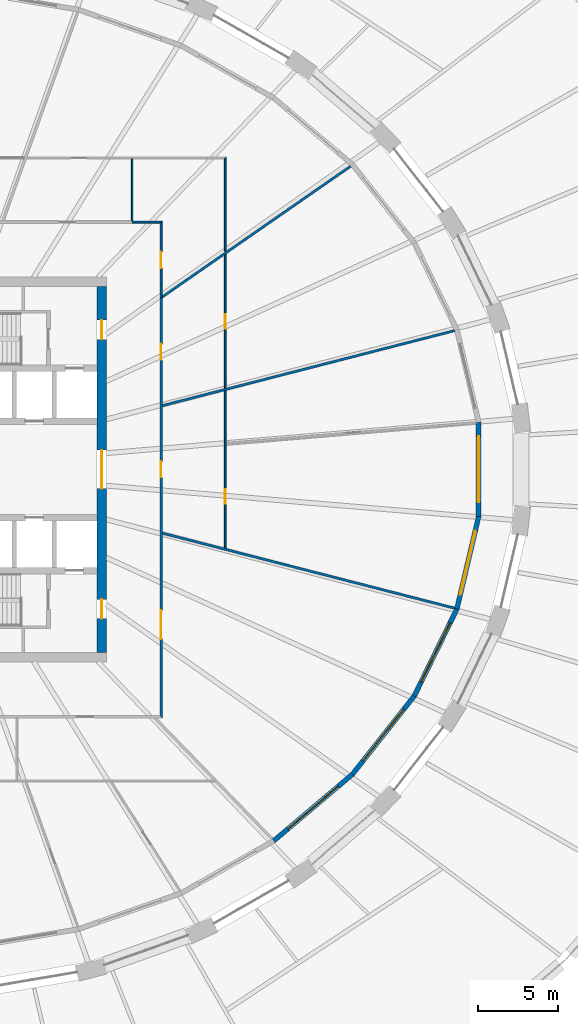
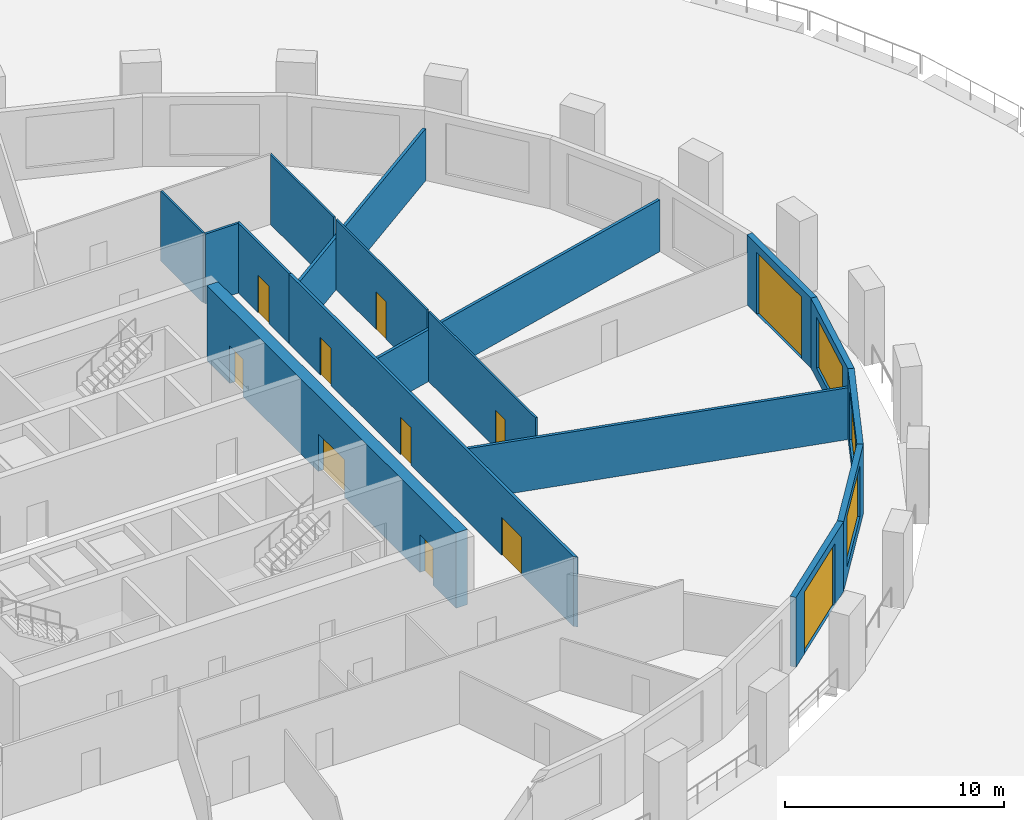
# One storey, part 9 of 16: 16 walls, 11 doors, 3 windows, 14 openings.
"""IFC4 building model written with IfcOpenShell, lengths in metres."""

from ifc_helpers import new_model, si_unit, direction, frame, frame_2d, origin, place, context, subcontext, project, spatial, polyline, rectangle, outline, extrude, material, layer, layer_set, type_object, element, fill, save


model = new_model("IFC4")

# Units and contexts
model_context = context("Model", 3, precision=1e-05, world=origin(), true_north=direction((0.0, 1.0)))
body_context = subcontext(model_context, "Body", "Model", "MODEL_VIEW")
ifc_project = project(units=[si_unit("LENGTHUNIT", "METRE"), si_unit("AREAUNIT", "SQUARE_METRE"), si_unit("VOLUMEUNIT", "CUBIC_METRE"), si_unit("PLANEANGLEUNIT", "RADIAN"), si_unit("MASSUNIT", "GRAM", prefix="KILO")], contexts=[model_context])

# Site, building, storey
site_placement = place(None, origin())
site = spatial("IfcSite", under=ifc_project, at=site_placement, CompositionType="ELEMENT")
building_placement = place(site_placement, origin())
building = spatial("IfcBuilding", under=site, at=building_placement, Name="Halqa Exchange Tower", CompositionType="ELEMENT")
storey_placement = place(building_placement, frame((0.0, 0.0, 23.5)))
storey = spatial("IfcBuildingStorey", under=building, at=storey_placement, Name="L04", CompositionType="ELEMENT", Elevation=23.5)

# Wall, openings, doors
ifc_material_1 = material(Name="Fire-rated gypsum board")
ifc_layer_1 = layer(ifc_material_1, 0.14990234375)
ifc_layer_set_1 = layer_set([ifc_layer_1], Name="Fire-rated gypsum board")
wall_type_1 = type_object("IfcWallType", Name="Fire partition EI 60 150", PredefinedType="PARTITIONING", material=ifc_layer_set_1)
wall_1_placement = place(storey_placement, frame((15.39990234375, -15.47509765625, 0.0), z_axis=(0.0, 0.0, 1.0), x_axis=(0.0, 1.0, 0.0)))
wall_1 = element("IfcWall", 1, at=wall_1_placement, inside=storey, type_object=wall_type_1, Name="L04-PWL-039", PredefinedType="PARTITIONING", context=body_context, shape_type="SweptSolid", body=[
    extrude(outline(polyline([(26.1650390625, 0.074951171875), (24.306884765625, 0.074951171875), (22.44873046875, 0.074951171875), (20.59033203125, 0.074951171875), (18.732177734375, 0.074951171875), (16.8740234375, 0.074951171875), (15.015869140625, 0.074951171875), (13.15771484375, 0.074951171875), (11.29931640625, 0.074951171875), (9.441162109375, 0.074951171875), (7.5830078125, 0.074951171875), (5.724853515625, 0.074951171875), (3.866455078125, 0.074951171875), (2.00830078125, 0.074951171875), (0.150146484375, 0.074951171875), (0.000244140625, -0.074951171875), (1.869140625, -0.074951171875), (3.738037109375, -0.074951171875), (5.60693359375, -0.074951171875), (7.475830078125, -0.074951171875), (9.3447265625, -0.074951171875), (11.213623046875, -0.074951171875), (13.08251953125, -0.074951171875), (14.95166015625, -0.074951171875), (16.820556640625, -0.074951171875), (18.689453125, -0.074951171875), (20.558349609375, -0.074951171875), (22.42724609375, -0.074951171875), (24.296142578125, -0.074951171875), (26.1650390625, -0.074951171875), (26.1650390625, 0.074951171875)])), origin(), (0.0, 0.0, 1.0), 3.89990234375),
])
opening_1_placement = place(wall_1_placement, frame((4.89990234375, 0.0, 0.0)))
opening_1 = element("IfcOpeningElement", 2, at=opening_1_placement, cuts=wall_1, Name="Opening 01-01", PredefinedType="OPENING", context=body_context, shape_type="SweptSolid", body=[
    extrude(rectangle(XDim=1.800048828125, YDim=2.10009765625, at=frame_2d((0.89990234375, 1.050048828125))), frame((0.0, 0.0869140625, 0.0), z_axis=(0.0, -1.0, 0.0), x_axis=(1.0, 0.0, 0.0)), (0.0, 0.0, 1.0), 0.173828125),
])
opening_2_placement = place(wall_1_placement, frame((14.97509765625, 0.0, 0.0)))
opening_2 = element("IfcOpeningElement", 3, at=opening_2_placement, cuts=wall_1, Name="Opening 01-02", PredefinedType="OPENING", context=body_context, shape_type="SweptSolid", body=[
    extrude(rectangle(XDim=1.0, YDim=2.10009765625, at=frame_2d((0.5, 1.050048828125))), frame((0.0, 0.0869140625, 0.0), z_axis=(0.0, -1.0, 0.0), x_axis=(1.0, 0.0, 0.0)), (0.0, 0.0, 1.0), 0.173828125),
])
opening_3_placement = place(wall_1_placement, frame((22.294921875, 0.0, 0.0)))
opening_3 = element("IfcOpeningElement", 4, at=opening_3_placement, cuts=wall_1, Name="Opening 01-03", PredefinedType="OPENING", context=body_context, shape_type="SweptSolid", body=[
    extrude(rectangle(XDim=1.0, YDim=2.10009765625, at=frame_2d((0.5, 1.050048828125))), frame((0.0, 0.0869140625, 0.0), z_axis=(0.0, -1.0, 0.0), x_axis=(1.0, 0.0, 0.0)), (0.0, 0.0, 1.0), 0.173828125),
])
ifc_material_2 = material(Name="Steel fire door leaf", Category="steel")
door_type_1 = type_object("IfcDoorType", Name="Fire door FD30S 1000 x 2100", OperationType="SINGLE_SWING_LEFT", PredefinedType="DOOR", material=ifc_material_2)
door_1_placement = place(opening_2_placement, frame((1.0, 0.0, 0.0), z_axis=(0.0, 0.0, 1.0), x_axis=(-1.0, 0.0, 0.0)))
door_1 = element("IfcDoor", 5, at=door_1_placement, inside=storey, type_object=door_type_1, Name="L04-IDR-002", OperationType="SINGLE_SWING_RIGHT", OverallHeight=2.10009765625, OverallWidth=1.0, PredefinedType="DOOR", context=body_context, shape_type="SweptSolid", body=[
    extrude(rectangle(XDim=1.0, YDim=2.10009765625, at=frame_2d((0.5, 1.050048828125))), frame((0.0, 0.02490234375, 0.0), z_axis=(0.0, -1.0, 0.0), x_axis=(1.0, 0.0, 0.0)), (0.0, 0.0, 1.0), 0.050048828125),
])
fill(opening_2, door_1)
door_2_placement = place(opening_3_placement, frame((1.0, 0.0, 0.0), z_axis=(0.0, 0.0, 1.0), x_axis=(-1.0, 0.0, 0.0)))
door_2 = element("IfcDoor", 6, at=door_2_placement, inside=storey, type_object=door_type_1, Name="L04-IDR-003", OperationType="SINGLE_SWING_RIGHT", OverallHeight=2.10009765625, OverallWidth=1.0, PredefinedType="DOOR", context=body_context, shape_type="SweptSolid", body=[
    extrude(rectangle(XDim=1.0, YDim=2.10009765625, at=frame_2d((0.5, 1.050048828125))), frame((0.0, 0.02490234375, 0.0), z_axis=(0.0, -1.0, 0.0), x_axis=(1.0, 0.0, 0.0)), (0.0, 0.0, 1.0), 0.050048828125),
])
fill(opening_3, door_2)
door_type_2 = type_object("IfcDoorType", Name="Fire door FD30S double 1800 x 2100", OperationType="DOUBLE_DOOR_SINGLE_SWING", PredefinedType="DOOR", material=ifc_material_2)
door_3_placement = place(opening_1_placement, frame((1.800048828125, 0.0, 0.0), z_axis=(0.0, 0.0, 1.0), x_axis=(-1.0, 0.0, 0.0)))
door_3 = element("IfcDoor", 7, at=door_3_placement, inside=storey, type_object=door_type_2, Name="L04-IDR-001", OperationType="DOUBLE_DOOR_SINGLE_SWING", OverallHeight=2.10009765625, OverallWidth=1.800048828125, PredefinedType="DOOR", context=body_context, shape_type="SweptSolid", body=[
    extrude(rectangle(XDim=1.800048828125, YDim=2.10009765625, at=frame_2d((0.89990234375, 1.050048828125))), frame((0.0, 0.02490234375, 0.0), z_axis=(0.0, -1.0, 0.0), x_axis=(1.0, 0.0, 0.0)), (0.0, 0.0, 1.0), 0.050048828125),
])
fill(opening_1, door_3)

# Walls
wall_2_placement = place(storey_placement, frame((15.456787109375, -3.964599609375, 0.0), z_axis=(0.0, 0.0, 1.0), x_axis=(0.968588981289, -0.248667218036, 0.0)))
element("IfcWall", 8, at=wall_2_placement, inside=storey, type_object=wall_type_1, Name="L04-PWL-040", PredefinedType="PARTITIONING", context=body_context, shape_type="SweptSolid", body=[
    extrude(outline(polyline([(0.0380859375, -0.074951171875), (1.91455078125, -0.074951171875), (3.790771484375, -0.074951171875), (5.667236328125, -0.074951171875), (7.543701171875, -0.074951171875), (9.420166015625, -0.074951171875), (11.296630859375, -0.074951171875), (13.1728515625, -0.074951171875), (15.04931640625, -0.074951171875), (16.92578125, -0.074951171875), (18.80224609375, -0.074951171875), (18.816162109375, -0.007568359375), (18.816162109375, 0.074951171875), (16.964599609375, 0.074951171875), (15.113037109375, 0.074951171875), (13.26123046875, 0.074951171875), (11.40966796875, 0.074951171875), (9.55810546875, 0.074951171875), (7.70654296875, 0.074951171875), (5.85498046875, 0.074951171875), (4.00341796875, 0.074951171875), (4.00048828125, 0.07421875), (4.000244140625, 0.074951171875), (2.666748046875, 0.074951171875), (1.33349609375, 0.074951171875), (0.0, 0.074951171875), (0.0, 0.0732421875), (0.0380859375, -0.074951171875)])), origin(), (0.0, 0.0, 1.0), 2.89208984375),
])
wall_3_placement = place(storey_placement, frame((15.456787109375, 3.964599609375, 0.0), z_axis=(0.0, 0.0, 1.0), x_axis=(0.968588981289, 0.248667218036, 0.0)))
element("IfcWall", 9, at=wall_3_placement, inside=storey, type_object=wall_type_1, Name="L04-PWL-041", PredefinedType="PARTITIONING", context=body_context, shape_type="SweptSolid", body=[
    extrude(outline(polyline([(0.0, -0.074951171875), (1.33349609375, -0.074951171875), (2.666748046875, -0.074951171875), (4.000244140625, -0.074951171875), (4.00048828125, -0.07421875), (4.00341796875, -0.074951171875), (5.85498046875, -0.074951171875), (7.70654296875, -0.074951171875), (9.55810546875, -0.074951171875), (11.40966796875, -0.074951171875), (13.26123046875, -0.074951171875), (15.113037109375, -0.074951171875), (16.964599609375, -0.074951171875), (18.816162109375, -0.074951171875), (18.816162109375, 0.007568359375), (18.80224609375, 0.074951171875), (16.9697265625, 0.074951171875), (15.13720703125, 0.074951171875), (13.3046875, 0.074951171875), (11.47216796875, 0.074951171875), (9.6396484375, 0.074951171875), (7.80712890625, 0.074951171875), (5.974609375, 0.074951171875), (4.141845703125, 0.074951171875), (4.141357421875, 0.07275390625), (4.13330078125, 0.074951171875), (2.76806640625, 0.074951171875), (1.403076171875, 0.074951171875), (0.0380859375, 0.074951171875), (0.0, -0.0732421875), (0.0, -0.074951171875)])), origin(), (0.0, 0.0, 1.0), 2.89208984375),
])
wall_4_placement = place(storey_placement, frame((15.4326171875, 10.71240234375, 0.0), z_axis=(0.0, 0.0, 1.0), x_axis=(0.82152236589, 0.570176290583, 0.0)))
element("IfcWall", 10, at=wall_4_placement, inside=storey, type_object=wall_type_1, Name="L04-PWL-042", PredefinedType="PARTITIONING", context=body_context, shape_type="SweptSolid", body=[
    extrude(outline(polyline([(0.0, -0.074951171875), (1.572021484375, -0.074951171875), (3.144287109375, -0.074951171875), (4.71630859375, -0.074951171875), (4.7177734375, -0.072998046875), (4.720703125, -0.074951171875), (6.644775390625, -0.074951171875), (8.56884765625, -0.074951171875), (10.492919921875, -0.074951171875), (12.416748046875, -0.074951171875), (14.3408203125, -0.074951171875), (14.3408203125, -0.07373046875), (14.336181640625, 0.000244140625), (14.316162109375, 0.074951171875), (12.44140625, 0.074951171875), (10.566650390625, 0.074951171875), (8.69189453125, 0.074951171875), (6.81689453125, 0.074951171875), (4.942138671875, 0.074951171875), (4.941162109375, 0.073486328125), (4.93896484375, 0.074951171875), (3.321044921875, 0.074951171875), (1.703125, 0.074951171875), (0.08544921875, 0.074951171875), (0.009765625, -0.033935546875), (0.02197265625, -0.04248046875), (0.0, -0.07421875), (0.0, -0.074951171875)])), origin(), (0.0, 0.0, 1.0), 2.909912109375),
])
ifc_material_3 = material(Name="Fire-rated glazing", Category="glass")
ifc_layer_2 = layer(ifc_material_3, 0.1201171875)
ifc_layer_set_2 = layer_set([ifc_layer_2], Name="Fire-rated glazing")
wall_type_2 = type_object("IfcWallType", Name="Glazed fire partition EI 60 120", PredefinedType="PARTITIONING", material=ifc_layer_set_2)
wall_5_placement = place(storey_placement, frame((13.60009765625, 15.39990234375, 0.0), z_axis=(0.0, 0.0, 1.0), x_axis=(1.0, 0.0, 0.0)))
element("IfcWall", 11, at=wall_5_placement, inside=storey, type_object=wall_type_2, Name="L04-PWL-037", PredefinedType="PARTITIONING", context=body_context, shape_type="SweptSolid", body=[
    extrude(outline(polyline([(0.0, -0.06005859375), (1.73974609375, -0.06005859375), (1.85986328125, 0.06005859375), (0.0, 0.06005859375), (0.0, -0.06005859375)])), origin(), (0.0, 0.0, 1.0), 3.89990234375),
])

# Wall, opening, door
wall_6_placement = place(storey_placement, frame((15.39990234375, 15.4599609375, 0.0), z_axis=(0.0, 0.0, 1.0), x_axis=(0.0, -1.0, 0.0)))
wall_6 = element("IfcWall", 12, at=wall_6_placement, inside=storey, type_object=wall_type_2, Name="L04-PWL-043", PredefinedType="PARTITIONING", context=body_context, shape_type="SweptSolid", body=[
    extrude(outline(polyline([(4.77001953125, 0.06005859375), (3.179931640625, 0.06005859375), (1.590087890625, 0.06005859375), (0.0, 0.06005859375), (0.1201171875, -0.06005859375), (1.670166015625, -0.06005859375), (3.219970703125, -0.06005859375), (4.77001953125, -0.06005859375), (4.77001953125, 0.06005859375)])), origin(), (0.0, 0.0, 1.0), 3.89990234375),
])
opening_4_placement = place(wall_6_placement, frame((1.9150390625, 0.0, 0.0)))
opening_4 = element("IfcOpeningElement", 13, at=opening_4_placement, cuts=wall_6, Name="Opening 01-04", PredefinedType="OPENING", context=body_context, shape_type="SweptSolid", body=[
    extrude(rectangle(XDim=1.0, YDim=2.10009765625, at=frame_2d((0.5, 1.050048828125))), frame((0.0, 0.072021484375, 0.0), z_axis=(0.0, -1.0, 0.0), x_axis=(1.0, 0.0, 0.0)), (0.0, 0.0, 1.0), 0.14404296875),
])
door_4_placement = place(opening_4_placement, origin())
door_4 = element("IfcDoor", 14, at=door_4_placement, inside=storey, type_object=door_type_1, Name="L04-IDR-004", OperationType="SINGLE_SWING_LEFT", OverallHeight=2.10009765625, OverallWidth=1.0, PredefinedType="DOOR", context=body_context, shape_type="SweptSolid", body=[
    extrude(rectangle(XDim=1.0, YDim=2.10009765625, at=frame_2d((0.5, 1.050048828125))), frame((0.0, 0.02490234375, 0.0), z_axis=(0.0, -1.0, 0.0), x_axis=(1.0, 0.0, 0.0)), (0.0, 0.0, 1.0), 0.050048828125),
])
fill(opening_4, door_4)

# Wall
ifc_material_4 = material(Name="Gypsum board")
ifc_layer_3 = layer(ifc_material_4, 0.10009765625)
ifc_layer_set_3 = layer_set([ifc_layer_3], Name="Gypsum board")
wall_type_3 = type_object("IfcWallType", Name="Partition 100 gypsum", PredefinedType="PARTITIONING", material=ifc_layer_set_3)
wall_7_placement = place(storey_placement, frame((13.60009765625, 15.46044921875, 0.0), z_axis=(0.0, 0.0, 1.0), x_axis=(0.0, 1.0, 0.0)))
element("IfcWall", 15, at=wall_7_placement, inside=storey, type_object=wall_type_3, Name="L04-PWL-036", PredefinedType="PARTITIONING", context=body_context, shape_type="SweptSolid", body=[
    extrude(outline(polyline([(0.0, -0.050048828125), (1.94482421875, -0.050048828125), (3.8896484375, -0.050048828125), (3.8896484375, 0.050048828125), (1.9521484375, 0.050048828125), (0.0146484375, 0.050048828125), (0.0146484375, 0.0), (0.0, 0.0), (0.0, -0.050048828125)])), origin(), (0.0, 0.0, 1.0), 3.89990234375),
])

# Wall, opening, door
wall_8_placement = place(storey_placement, frame((19.39990234375, -4.912109375, 0.0), z_axis=(0.0, 0.0, 1.0), x_axis=(0.0, 1.0, 0.0)))
wall_8 = element("IfcWall", 16, at=wall_8_placement, inside=storey, type_object=wall_type_3, Name="L04-PWL-044", PredefinedType="PARTITIONING", context=body_context, shape_type="SweptSolid", body=[
    extrude(outline(polyline([(9.82421875, -0.050048828125), (9.82421875, -0.04931640625), (9.798583984375, 0.050048828125), (7.843994140625, 0.050048828125), (5.889404296875, 0.050048828125), (3.934814453125, 0.050048828125), (1.980224609375, 0.050048828125), (0.025634765625, 0.050048828125), (0.0, -0.04931640625), (0.0, -0.050048828125), (1.96484375, -0.050048828125), (3.9296875, -0.050048828125), (5.89453125, -0.050048828125), (7.859375, -0.050048828125), (9.82421875, -0.050048828125)])), origin(), (0.0, 0.0, 1.0), 3.89990234375),
])
opening_5_placement = place(wall_8_placement, frame((2.781982421875, 0.0, 0.0)))
opening_5 = element("IfcOpeningElement", 17, at=opening_5_placement, cuts=wall_8, Name="Opening 01-17", PredefinedType="OPENING", context=body_context, shape_type="SweptSolid", body=[
    extrude(rectangle(XDim=0.89990234375, YDim=2.10009765625, at=frame_2d((0.449951171875, 1.050048828125))), frame((0.0, 0.06201171875, 0.0), z_axis=(0.0, -1.0, 0.0), x_axis=(1.0, 0.0, 0.0)), (0.0, 0.0, 1.0), 0.1240234375),
])
ifc_material_5 = material(Name="Timber door leaf", Category="wood")
door_type_3 = type_object("IfcDoorType", Name="Door 900 x 2100", OperationType="SINGLE_SWING_LEFT", PredefinedType="DOOR", material=ifc_material_5)
door_5_placement = place(opening_5_placement, origin())
door_5 = element("IfcDoor", 18, at=door_5_placement, inside=storey, type_object=door_type_3, Name="L04-IDR-017", OperationType="SINGLE_SWING_RIGHT", OverallHeight=2.10009765625, OverallWidth=0.89990234375, PredefinedType="DOOR", context=body_context, shape_type="SweptSolid", body=[
    extrude(rectangle(XDim=0.89990234375, YDim=2.10009765625, at=frame_2d((0.449951171875, 1.050048828125))), frame((0.0, 0.02490234375, 0.0), z_axis=(0.0, -1.0, 0.0), x_axis=(1.0, 0.0, 0.0)), (0.0, 0.0, 1.0), 0.050048828125),
])
fill(opening_5, door_5)

wall_9_placement = place(storey_placement, frame((19.39990234375, 13.408935546875, 0.0), z_axis=(0.0, 0.0, 1.0), x_axis=(0.0, -1.0, 0.0)))
wall_9 = element("IfcWall", 19, at=wall_9_placement, inside=storey, type_object=wall_type_3, Name="L04-PWL-046", PredefinedType="PARTITIONING", context=body_context, shape_type="SweptSolid", body=[
    extrude(outline(polyline([(8.366943359375, -0.050048828125), (8.366943359375, -0.048095703125), (8.341796875, 0.050048828125), (6.67333984375, 0.050048828125), (5.005126953125, 0.050048828125), (3.336669921875, 0.050048828125), (1.66845703125, 0.050048828125), (0.0, 0.050048828125), (0.0, 0.049072265625), (0.06884765625, -0.050048828125), (1.728515625, -0.050048828125), (3.38818359375, -0.050048828125), (5.047607421875, -0.050048828125), (6.707275390625, -0.050048828125), (8.366943359375, -0.050048828125)])), origin(), (0.0, 0.0, 1.0), 3.89990234375),
])
opening_6_placement = place(wall_9_placement, frame((3.73388671875, 0.0, 0.0)))
opening_6 = element("IfcOpeningElement", 20, at=opening_6_placement, cuts=wall_9, Name="Opening 01-19", PredefinedType="OPENING", context=body_context, shape_type="SweptSolid", body=[
    extrude(rectangle(XDim=0.89990234375, YDim=2.10009765625, at=frame_2d((0.449951171875, 1.050048828125))), frame((0.0, 0.06201171875, 0.0), z_axis=(0.0, -1.0, 0.0), x_axis=(1.0, 0.0, 0.0)), (0.0, 0.0, 1.0), 0.1240234375),
])
door_6_placement = place(opening_6_placement, frame((0.89990234375, 0.0, 0.0), z_axis=(0.0, 0.0, 1.0), x_axis=(-1.0, 0.0, 0.0)))
door_6 = element("IfcDoor", 21, at=door_6_placement, inside=storey, type_object=door_type_3, Name="L04-IDR-019", OperationType="SINGLE_SWING_LEFT", OverallHeight=2.10009765625, OverallWidth=0.89990234375, PredefinedType="DOOR", context=body_context, shape_type="SweptSolid", body=[
    extrude(rectangle(XDim=0.89990234375, YDim=2.10009765625, at=frame_2d((0.449951171875, 1.050048828125))), frame((0.0, 0.02490234375, 0.0), z_axis=(0.0, -1.0, 0.0), x_axis=(1.0, 0.0, 0.0)), (0.0, 0.0, 1.0), 0.050048828125),
])
fill(opening_6, door_6)

# Wall
wall_10_placement = place(storey_placement, frame((19.39990234375, 19.449951171875, 0.0), z_axis=(0.0, 0.0, 1.0), x_axis=(0.0, -1.0, 0.0)))
element("IfcWall", 22, at=wall_10_placement, inside=storey, type_object=wall_type_3, Name="L04-PWL-047", PredefinedType="PARTITIONING", context=body_context, shape_type="SweptSolid", body=[
    extrude(outline(polyline([(5.85986328125, 0.050048828125), (3.906494140625, 0.050048828125), (1.953369140625, 0.050048828125), (0.0, 0.050048828125), (0.10009765625, -0.050048828125), (2.02001953125, -0.050048828125), (3.93994140625, -0.050048828125), (5.85986328125, -0.050048828125), (5.85986328125, 0.050048828125)])), origin(), (0.0, 0.0, 1.0), 3.89990234375),
])

# Wall, openings, doors
ifc_material_6 = material(Name="Concrete C80/95", Category="concrete")
ifc_layer_4 = layer(ifc_material_6, 0.60009765625)
ifc_layer_set_4 = layer_set([ifc_layer_4], Name="Concrete C80/95")
wall_type_4 = type_object("IfcWallType", Name="RC core wall 600 C80/95", PredefinedType="SHEAR", material=ifc_layer_set_4)
wall_11_placement = place(storey_placement, frame((11.699951171875, -11.39990234375, 0.0), z_axis=(0.0, 0.0, 1.0), x_axis=(0.0, 1.0, 0.0)))
wall_11 = element("IfcWall", 23, at=wall_11_placement, inside=storey, type_object=wall_type_4, Name="Core wall east", PredefinedType="SHEAR", context=body_context, shape_type="SweptSolid", body=[
    extrude(rectangle(XDim=22.7998046875, YDim=0.60009765625, at=frame_2d((11.39990234375, 0.0))), origin(), (0.0, 0.0, 1.0), 4.199951171875),
])
opening_7_placement = place(wall_11_placement, frame((10.199951171875, 0.0, 0.0)))
opening_7 = element("IfcOpeningElement", 24, at=opening_7_placement, cuts=wall_11, Name="Opening T01-C14", PredefinedType="OPENING", context=body_context, shape_type="SweptSolid", body=[
    extrude(rectangle(XDim=2.39990234375, YDim=2.10009765625, at=frame_2d((1.199951171875, 1.050048828125))), frame((0.0, 0.31201171875, 0.0), z_axis=(0.0, -1.0, 0.0), x_axis=(1.0, 0.0, 0.0)), (0.0, 0.0, 1.0), 0.6240234375),
])
opening_8_placement = place(wall_11_placement, frame((19.5, 0.0, 0.0)))
opening_8 = element("IfcOpeningElement", 25, at=opening_8_placement, cuts=wall_11, Name="Opening T01-C19", PredefinedType="OPENING", context=body_context, shape_type="SweptSolid", body=[
    extrude(rectangle(XDim=1.199951171875, YDim=2.10009765625, at=frame_2d((0.60009765625, 1.050048828125))), frame((0.0, 0.31201171875, 0.0), z_axis=(0.0, -1.0, 0.0), x_axis=(1.0, 0.0, 0.0)), (0.0, 0.0, 1.0), 0.6240234375),
])
opening_9_placement = place(wall_11_placement, frame((2.10009765625, 0.0, 0.0)))
opening_9 = element("IfcOpeningElement", 26, at=opening_9_placement, cuts=wall_11, Name="Opening T01-C20", PredefinedType="OPENING", context=body_context, shape_type="SweptSolid", body=[
    extrude(rectangle(XDim=1.199951171875, YDim=2.10009765625, at=frame_2d((0.60009765625, 1.050048828125))), frame((0.0, 0.31201171875, 0.0), z_axis=(0.0, -1.0, 0.0), x_axis=(1.0, 0.0, 0.0)), (0.0, 0.0, 1.0), 0.6240234375),
])
door_type_4 = type_object("IfcDoorType", Name="Firefighting lobby door FD90 1200 x 2100", OperationType="SINGLE_SWING_RIGHT", PredefinedType="DOOR", material=ifc_material_2)
door_7_placement = place(opening_8_placement, origin())
door_7 = element("IfcDoor", 27, at=door_7_placement, inside=storey, type_object=door_type_4, Name="Firefighting lobby door", OperationType="SINGLE_SWING_RIGHT", OverallHeight=2.10009765625, OverallWidth=1.199951171875, PredefinedType="DOOR", context=body_context, shape_type="SweptSolid", body=[
    extrude(rectangle(XDim=1.199951171875, YDim=2.10009765625, at=frame_2d((0.60009765625, 1.050048828125))), frame((0.0, 0.02490234375, 0.0), z_axis=(0.0, -1.0, 0.0), x_axis=(1.0, 0.0, 0.0)), (0.0, 0.0, 1.0), 0.050048828125),
])
fill(opening_8, door_7)
door_8_placement = place(opening_9_placement, origin())
door_8 = element("IfcDoor", 28, at=door_8_placement, inside=storey, type_object=door_type_4, Name="Firefighting lobby door", OperationType="SINGLE_SWING_LEFT", OverallHeight=2.10009765625, OverallWidth=1.199951171875, PredefinedType="DOOR", context=body_context, shape_type="SweptSolid", body=[
    extrude(rectangle(XDim=1.199951171875, YDim=2.10009765625, at=frame_2d((0.60009765625, 1.050048828125))), frame((0.0, 0.02490234375, 0.0), z_axis=(0.0, -1.0, 0.0), x_axis=(1.0, 0.0, 0.0)), (0.0, 0.0, 1.0), 0.050048828125),
])
fill(opening_9, door_8)
door_type_5 = type_object("IfcDoorType", Name="Lobby double door FD60 2400 x 2100", OperationType="DOUBLE_DOOR_SINGLE_SWING", PredefinedType="DOOR", material=ifc_material_2)
door_9_placement = place(opening_7_placement, origin())
door_9 = element("IfcDoor", 29, at=door_9_placement, inside=storey, type_object=door_type_5, Name="Lift lobby double door", OperationType="DOUBLE_DOOR_SINGLE_SWING", OverallHeight=2.10009765625, OverallWidth=2.39990234375, PredefinedType="DOOR", context=body_context, shape_type="SweptSolid", body=[
    extrude(rectangle(XDim=2.39990234375, YDim=2.10009765625, at=frame_2d((1.199951171875, 1.050048828125))), frame((0.0, 0.02490234375, 0.0), z_axis=(0.0, -1.0, 0.0), x_axis=(1.0, 0.0, 0.0)), (0.0, 0.0, 1.0), 0.050048828125),
])
fill(opening_7, door_9)

# Wall, opening, door
ifc_material_7 = material(Name="Limestone cladding", Category="masonry")
ifc_layer_5 = layer(ifc_material_7, 0.0400390625)
ifc_material_8 = material(Name="Ventilated cavity")
ifc_layer_6 = layer(ifc_material_8, 0.030029296875, ventilated=True)
ifc_material_9 = material(Name="Mineral wool insulation")
ifc_layer_7 = layer(ifc_material_9, 0.10009765625)
ifc_material_10 = material(Name="Concrete C30/37", Category="concrete")
ifc_layer_8 = layer(ifc_material_10, 0.10009765625)
ifc_material_11 = material(Name="Internal plaster")
ifc_layer_9 = layer(ifc_material_11, 0.030029296875)
ifc_layer_set_5 = layer_set([ifc_layer_5, ifc_layer_6, ifc_layer_7, ifc_layer_8, ifc_layer_9], Name="Stone-faced insulated wall 300")
wall_type_5 = type_object("IfcWallType", Name="Stone-faced insulated wall 300", PredefinedType="STANDARD", material=ifc_layer_set_5)
wall_12_placement = place(storey_placement, frame((22.416748046875, -23.13720703125, 0.0), z_axis=(0.0, 0.0, 1.0), x_axis=(0.763540615407, 0.645759807223, 0.0)))
wall_12 = element("IfcWall", 30, at=wall_12_placement, inside=storey, type_object=wall_type_5, Name="Glass-line wall 28", PredefinedType="STANDARD", context=body_context, shape_type="SweptSolid", body=[
    extrude(outline(polyline([(-0.01416015625, -0.14990234375), (6.434814453125, -0.14990234375), (6.404541015625, 0.14990234375), (0.01416015625, 0.14990234375), (-0.01416015625, -0.14990234375)])), origin(), (0.0, 0.0, 1.0), 3.89990234375),
])
opening_10_placement = place(wall_12_placement, frame((1.159912109375, 0.0, 0.0)))
opening_10 = element("IfcOpeningElement", 31, at=opening_10_placement, cuts=wall_12, Name="Opening LG-F1-07", PredefinedType="OPENING", context=body_context, shape_type="SweptSolid", body=[
    extrude(rectangle(XDim=4.10009765625, YDim=3.449951171875, at=frame_2d((2.050048828125, 1.72509765625))), frame((0.0, 0.162109375, 0.0), z_axis=(0.0, -1.0, 0.0), x_axis=(1.0, 0.0, 0.0)), (0.0, 0.0, 1.0), 0.323974609375),
])
ifc_material_12 = material(Name="Clear low-emissivity glass in aluminium frame", Category="aluminium")
door_type_6 = type_object("IfcDoorType", Name="Glazed sliding loggia door 4100 x 3450", OperationType="DOUBLE_DOOR_SLIDING", PredefinedType="DOOR", material=ifc_material_12)
door_10_placement = place(opening_10_placement, origin())
door_10 = element("IfcDoor", 32, at=door_10_placement, inside=storey, type_object=door_type_6, Name="Loggia door 7", OperationType="DOUBLE_DOOR_SLIDING", OverallHeight=3.449951171875, OverallWidth=4.10009765625, PredefinedType="DOOR", context=body_context, shape_type="SweptSolid", body=[
    extrude(rectangle(XDim=4.10009765625, YDim=3.449951171875, at=frame_2d((2.050048828125, 1.72509765625))), frame((0.0, 0.02490234375, 0.0), z_axis=(0.0, -1.0, 0.0), x_axis=(1.0, 0.0, 0.0)), (0.0, 0.0, 1.0), 0.050048828125),
])
fill(opening_10, door_10)

# Wall, opening, window
wall_13_placement = place(storey_placement, frame((27.318359375, -18.99169921875, 0.0), z_axis=(0.0, 0.0, 1.0), x_axis=(0.619902786528, 0.784678619089, 0.0)))
wall_13 = element("IfcWall", 33, at=wall_13_placement, inside=storey, type_object=wall_type_5, Name="Glass-line wall 29", PredefinedType="STANDARD", context=body_context, shape_type="SweptSolid", body=[
    extrude(outline(polyline([(-0.01513671875, -0.14990234375), (6.231689453125, -0.14990234375), (6.199462890625, 0.14990234375), (0.01513671875, 0.14990234375), (-0.01513671875, -0.14990234375)])), origin(), (0.0, 0.0, 1.0), 3.89990234375),
])
opening_11_placement = place(wall_13_placement, frame((1.0576171875, 0.0, 0.60009765625)))
opening_11 = element("IfcOpeningElement", 34, at=opening_11_placement, cuts=wall_13, Name="Opening W-F1-29", PredefinedType="OPENING", context=body_context, shape_type="SweptSolid", body=[
    extrude(rectangle(XDim=4.10009765625, YDim=2.85009765625, at=frame_2d((2.050048828125, 1.425048828125))), frame((0.0, 0.162109375, 0.0), z_axis=(0.0, -1.0, 0.0), x_axis=(1.0, 0.0, 0.0)), (0.0, 0.0, 1.0), 0.323974609375),
])
window_type = type_object("IfcWindowType", Name="Fixed clear glazed window 4100 x 2850", PartitioningType="TRIPLE_PANEL_VERTICAL", PredefinedType="WINDOW", material=ifc_material_12)
window_1_placement = place(opening_11_placement, origin())
window_1 = element("IfcWindow", 35, at=window_1_placement, inside=storey, type_object=window_type, Name="Window 1", OverallHeight=2.85009765625, OverallWidth=4.10009765625, PartitioningType="TRIPLE_PANEL_VERTICAL", PredefinedType="WINDOW", context=body_context, shape_type="SweptSolid", body=[
    extrude(rectangle(XDim=4.10009765625, YDim=2.85009765625, at=frame_2d((2.050048828125, 1.425048828125))), frame((0.0, 0.030029296875, 0.0), z_axis=(0.0, -1.0, 0.0), x_axis=(1.0, 0.0, 0.0)), (0.0, 0.0, 1.0), 0.06005859375),
])
fill(opening_11, window_1)

wall_14_placement = place(storey_placement, frame((31.17138671875, -14.114501953125, 0.0), z_axis=(0.0, 0.0, 1.0), x_axis=(0.439821516427, 0.898085204025, 0.0)))
wall_14 = element("IfcWall", 36, at=wall_14_placement, inside=storey, type_object=wall_type_5, Name="Glass-line wall 30", PredefinedType="STANDARD", context=body_context, shape_type="SweptSolid", body=[
    extrude(outline(polyline([(-0.01611328125, -0.14990234375), (6.053466796875, -0.14990234375), (6.019775390625, 0.14990234375), (0.01611328125, 0.14990234375), (-0.01611328125, -0.14990234375)])), origin(), (0.0, 0.0, 1.0), 3.89990234375),
])
opening_12_placement = place(wall_14_placement, frame((0.968505859375, 0.0, 0.60009765625)))
opening_12 = element("IfcOpeningElement", 37, at=opening_12_placement, cuts=wall_14, Name="Opening W-F1-30", PredefinedType="OPENING", context=body_context, shape_type="SweptSolid", body=[
    extrude(rectangle(XDim=4.10009765625, YDim=2.85009765625, at=frame_2d((2.050048828125, 1.425048828125))), frame((0.0, 0.162109375, 0.0), z_axis=(0.0, -1.0, 0.0), x_axis=(1.0, 0.0, 0.0)), (0.0, 0.0, 1.0), 0.323974609375),
])
window_2_placement = place(opening_12_placement, origin())
window_2 = element("IfcWindow", 38, at=window_2_placement, inside=storey, type_object=window_type, Name="Window 1", OverallHeight=2.85009765625, OverallWidth=4.10009765625, PartitioningType="TRIPLE_PANEL_VERTICAL", PredefinedType="WINDOW", context=body_context, shape_type="SweptSolid", body=[
    extrude(rectangle(XDim=4.10009765625, YDim=2.85009765625, at=frame_2d((2.050048828125, 1.425048828125))), frame((0.0, 0.030029296875, 0.0), z_axis=(0.0, -1.0, 0.0), x_axis=(1.0, 0.0, 0.0)), (0.0, 0.0, 1.0), 0.06005859375),
])
fill(opening_12, window_2)

wall_15_placement = place(storey_placement, frame((33.826416015625, -8.693115234375, 0.0), z_axis=(0.0, 0.0, 1.0), x_axis=(0.228924296831, 0.973444228665, 0.0)))
wall_15 = element("IfcWall", 39, at=wall_15_placement, inside=storey, type_object=wall_type_5, Name="Glass-line wall 31", PredefinedType="STANDARD", context=body_context, shape_type="SweptSolid", body=[
    extrude(outline(polyline([(-0.016845703125, -0.14990234375), (5.931884765625, -0.14990234375), (5.897216796875, 0.14990234375), (0.016845703125, 0.14990234375), (-0.016845703125, -0.14990234375)])), origin(), (0.0, 0.0, 1.0), 3.89990234375),
])
opening_13_placement = place(wall_15_placement, frame((0.9072265625, 0.0, 0.60009765625)))
opening_13 = element("IfcOpeningElement", 40, at=opening_13_placement, cuts=wall_15, Name="Opening W-F1-31", PredefinedType="OPENING", context=body_context, shape_type="SweptSolid", body=[
    extrude(rectangle(XDim=4.10009765625, YDim=2.85009765625, at=frame_2d((2.050048828125, 1.425048828125))), frame((0.0, 0.162109375, 0.0), z_axis=(0.0, -1.0, 0.0), x_axis=(1.0, 0.0, 0.0)), (0.0, 0.0, 1.0), 0.323974609375),
])
window_3_placement = place(opening_13_placement, origin())
window_3 = element("IfcWindow", 41, at=window_3_placement, inside=storey, type_object=window_type, Name="Window 1", OverallHeight=2.85009765625, OverallWidth=4.10009765625, PartitioningType="TRIPLE_PANEL_VERTICAL", PredefinedType="WINDOW", context=body_context, shape_type="SweptSolid", body=[
    extrude(rectangle(XDim=4.10009765625, YDim=2.85009765625, at=frame_2d((2.050048828125, 1.425048828125))), frame((0.0, 0.030029296875, 0.0), z_axis=(0.0, -1.0, 0.0), x_axis=(1.0, 0.0, 0.0)), (0.0, 0.0, 1.0), 0.06005859375),
])
fill(opening_13, window_3)

# Wall, opening, door
wall_16_placement = place(storey_placement, frame((35.180419921875, -2.935546875, 0.0), z_axis=(0.0, 0.0, 1.0), x_axis=(0.0, 1.0, 0.0)))
wall_16 = element("IfcWall", 42, at=wall_16_placement, inside=storey, type_object=wall_type_5, Name="Glass-line wall 32", PredefinedType="STANDARD", context=body_context, shape_type="SweptSolid", body=[
    extrude(outline(polyline([(-0.017333984375, -0.14990234375), (5.888427734375, -0.14990234375), (5.853759765625, 0.14990234375), (0.017333984375, 0.14990234375), (-0.017333984375, -0.14990234375)])), origin(), (0.0, 0.0, 1.0), 3.89990234375),
])
opening_14_placement = place(wall_16_placement, frame((0.885498046875, 0.0, 0.0)))
opening_14 = element("IfcOpeningElement", 43, at=opening_14_placement, cuts=wall_16, Name="Opening LG-F1-08", PredefinedType="OPENING", context=body_context, shape_type="SweptSolid", body=[
    extrude(rectangle(XDim=4.10009765625, YDim=3.449951171875, at=frame_2d((2.050048828125, 1.72509765625))), frame((0.0, 0.162109375, 0.0), z_axis=(0.0, -1.0, 0.0), x_axis=(1.0, 0.0, 0.0)), (0.0, 0.0, 1.0), 0.323974609375),
])
door_11_placement = place(opening_14_placement, origin())
door_11 = element("IfcDoor", 44, at=door_11_placement, inside=storey, type_object=door_type_6, Name="Loggia door 8", OperationType="DOUBLE_DOOR_SLIDING", OverallHeight=3.449951171875, OverallWidth=4.10009765625, PredefinedType="DOOR", context=body_context, shape_type="SweptSolid", body=[
    extrude(rectangle(XDim=4.10009765625, YDim=3.449951171875, at=frame_2d((2.050048828125, 1.72509765625))), frame((0.0, 0.02490234375, 0.0), z_axis=(0.0, -1.0, 0.0), x_axis=(1.0, 0.0, 0.0)), (0.0, 0.0, 1.0), 0.050048828125),
])
fill(opening_14, door_11)

save(model, "model.ifc")
